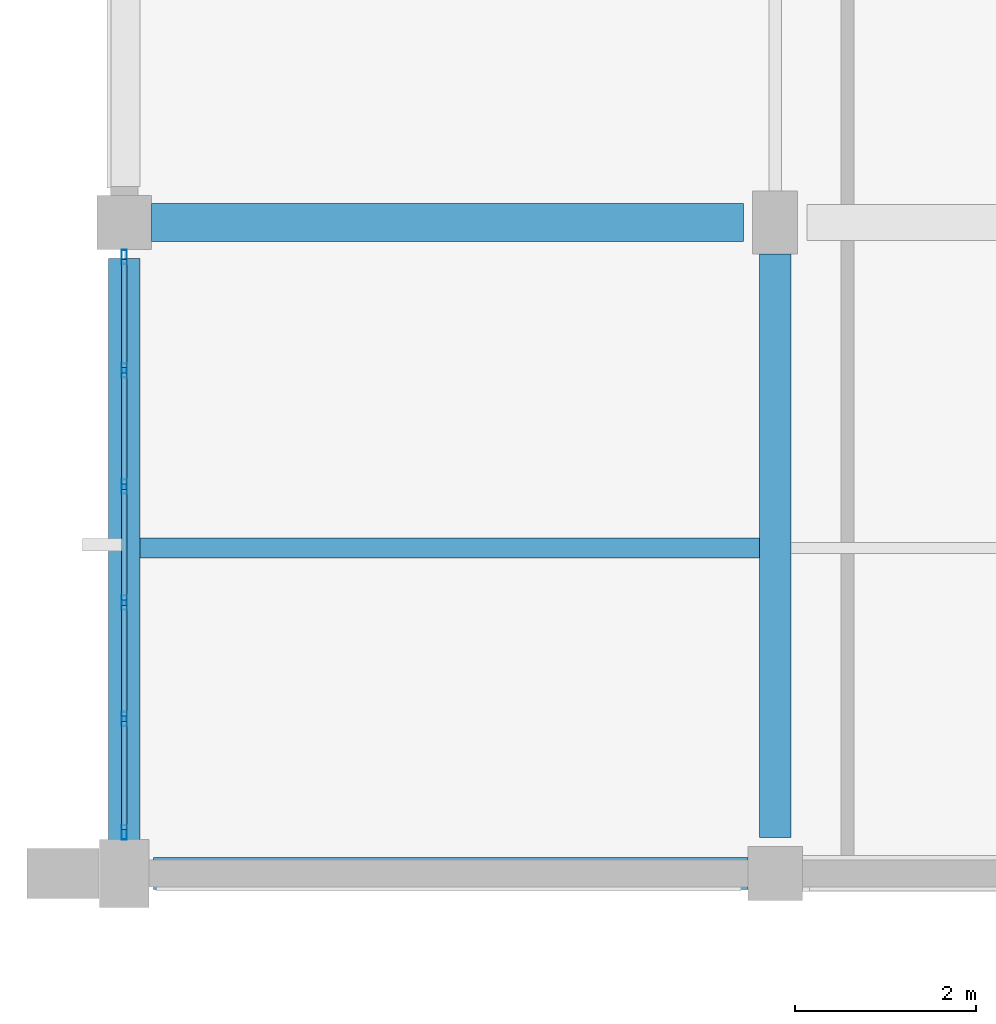
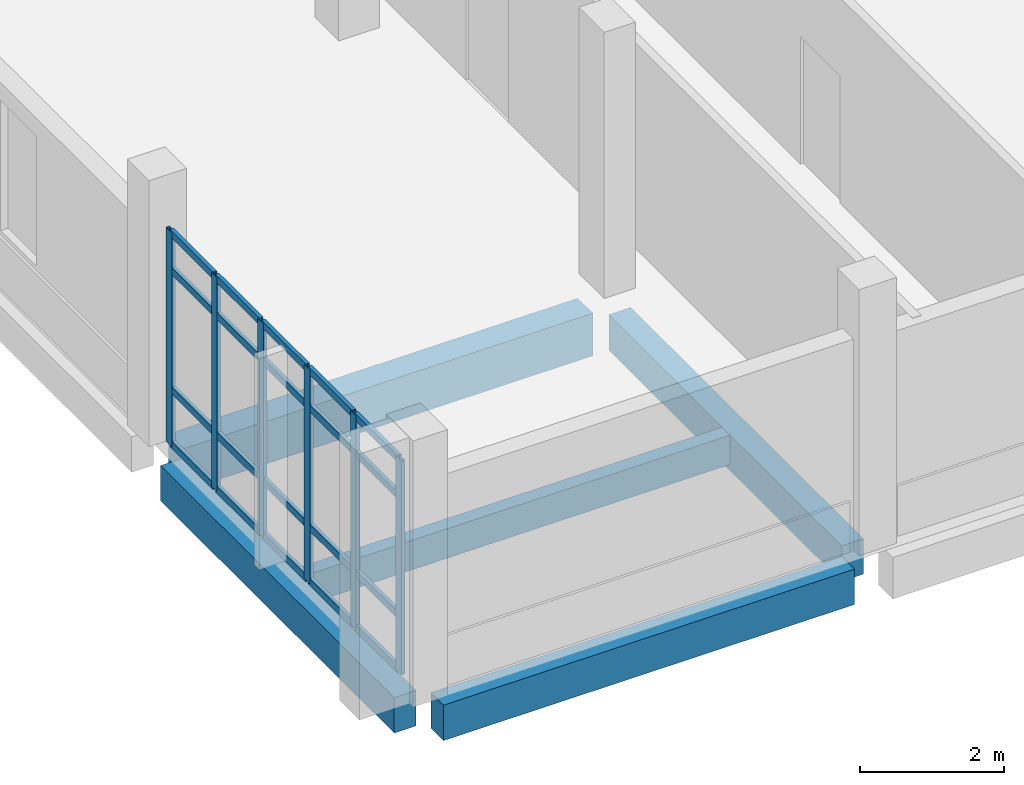
# One storey, part 7 of 124: 26 members, 5 beams, 1 element without a shape of its own.
"""IFC4 building model written with IfcOpenShell, lengths in metres."""

import ifcopenshell
import ifcopenshell.guid

model = None  # the IFC model being written
_history = None  # IfcOwnerHistory: only IFC2X3 demands one
_inside = {}  # id of a spatial element -> (the spatial element, [elements in it])
_under = {}  # id of a project, library or spatial element -> (it, [spatial elements below it])
_declared = {}  # id of a project -> (the project, [libraries it declares])
_typed = {}  # id of a type object -> (the type object, [elements of that type])
_made_of = {}  # id of a material, layer set ... -> (it, [elements and type objects made of it])


def new_model(schema):
    """Start an empty IFC model of exactly this schema.

    Asked for "IFC4X3", IfcOpenShell would pick the latest addendum, in which some entities
    have other attributes; the version numbers below select the first issue.
    IFC2X3 requires an IfcOwnerHistory on every rooted entity: one is made here for all.
    """
    global model, _history
    if schema == "IFC4X3":
        model = ifcopenshell.file(schema_version=(4, 3, 0, 0))
    else:
        model = ifcopenshell.file(schema=schema)
    _inside.clear()
    _under.clear()
    _declared.clear()
    _typed.clear()
    _made_of.clear()
    _history = None
    if model.schema == "IFC2X3":
        org = make("IfcOrganization", Name="unknown")
        user = make(
            "IfcPersonAndOrganization",
            ThePerson=make("IfcPerson", FamilyName="unknown"),
            TheOrganization=org,
        )
        app = make(
            "IfcApplication",
            ApplicationDeveloper=org,
            Version="unknown",
            ApplicationFullName="unknown",
            ApplicationIdentifier="unknown",
        )
        _history = make(
            "IfcOwnerHistory",
            OwningUser=user,
            OwningApplication=app,
            ChangeAction="ADDED",
            CreationDate=0,
        )
    return model


def make(cls, **values):
    """One entity of the class cls with the attributes given. An attribute that is None is left unset."""
    return model.create_entity(
        cls, **{name: value for name, value in values.items() if value is not None}
    )


def rooted(cls, **values):
    """An entity with a GlobalId (a new one), such as an element, a storey or a relation."""
    return make(cls, GlobalId=ifcopenshell.guid.new(), OwnerHistory=_history, **values)


def si_unit(unit_type, name, prefix=None):
    """IfcSIUnit, for example si_unit("LENGTHUNIT", "METRE", prefix="MILLI")."""
    return make("IfcSIUnit", UnitType=unit_type, Prefix=prefix, Name=name)


def assignment(units):
    """IfcUnitAssignment: the units of a project."""
    return None if units is None else make("IfcUnitAssignment", Units=units)


def point(xyz):
    """IfcCartesianPoint."""
    return None if xyz is None else make("IfcCartesianPoint", Coordinates=xyz)


def direction(xyz):
    """IfcDirection."""
    return None if xyz is None else make("IfcDirection", DirectionRatios=xyz)


def frame(location, z_axis=None, x_axis=None):
    """IfcAxis2Placement3D, a coordinate frame: its origin and axes. An axis left out is left unset."""
    return make(
        "IfcAxis2Placement3D",
        Location=point(location),
        Axis=direction(z_axis),
        RefDirection=direction(x_axis),
    )


def frame_2d(location, x_axis=None):
    """IfcAxis2Placement2D, a coordinate frame in the plane: its origin and x axis."""
    return make(
        "IfcAxis2Placement2D", Location=point(location), RefDirection=direction(x_axis)
    )


def origin():
    """The frame at (0, 0, 0) with its axes left unset."""
    return frame((0.0, 0.0, 0.0))


def origin_2d():
    """The frame at (0, 0) in the plane with its x axis left unset."""
    return frame_2d((0.0, 0.0))


def place(relative_to, where):
    """IfcLocalPlacement: puts the frame where relative to a parent placement (None: the world)."""
    return make(
        "IfcLocalPlacement", PlacementRelTo=relative_to, RelativePlacement=where
    )


def context(
    kind, dimensions, precision=None, world=None, true_north=None, identifier=None
):
    """IfcGeometricRepresentationContext, for example the 3D "Model" context."""
    return make(
        "IfcGeometricRepresentationContext",
        ContextIdentifier=identifier,
        ContextType=kind,
        CoordinateSpaceDimension=dimensions,
        Precision=precision,
        WorldCoordinateSystem=world,
        TrueNorth=true_north,
    )


def subcontext(parent, identifier, kind, view, scale=None):
    """IfcGeometricRepresentationSubContext, for example "Body" below "Model"."""
    return make(
        "IfcGeometricRepresentationSubContext",
        ContextIdentifier=identifier,
        ContextType=kind,
        ParentContext=parent,
        TargetScale=scale,
        TargetView=view,
    )


def project(units=None, contexts=None):
    """IfcProject with its units and contexts."""
    return rooted(
        "IfcProject",
        Name="project",
        RepresentationContexts=contexts,
        UnitsInContext=assignment(units),
    )


def spatial(cls, under=None, at=None, **own):
    """A site, building, storey or space (cls), placed at a placement, below another one or the project."""
    s = rooted(cls, ObjectPlacement=at, **own)
    if under is not None:
        _under.setdefault(under.id(), (under, []))[1].append(s)
    return s


def profile(cls, at=None, kind="AREA", **sizes):
    """A parametric profile (cls). Its sizes go by their IFC names, for example OverallWidth=200.0."""
    return make(cls, ProfileType=kind, Position=at, **sizes)


def rectangle(**sizes):
    """IfcRectangleProfileDef."""
    return profile("IfcRectangleProfileDef", **sizes)


def hollow_rectangle(**sizes):
    """IfcRectangleHollowProfileDef."""
    return profile("IfcRectangleHollowProfileDef", **sizes)


def extrude(swept, where, along, depth):
    """IfcExtrudedAreaSolid: the profile swept, set in the frame where, extruded along a direction by depth."""
    return make(
        "IfcExtrudedAreaSolid",
        SweptArea=swept,
        Position=where,
        ExtrudedDirection=direction(along),
        Depth=depth,
    )


def shape(context_of_items, identifier, shape_type, items):
    """IfcShapeRepresentation: the items that make up one representation, for example the "Body"."""
    return make(
        "IfcShapeRepresentation",
        ContextOfItems=context_of_items,
        RepresentationIdentifier=identifier,
        RepresentationType=shape_type,
        Items=items,
    )


def material(Name=None, Category=None):
    """IfcMaterial."""
    return make("IfcMaterial", Name=Name, Category=Category)


def material_profile(
    of_material, cross_section, Name=None, Category=None, Priority=None
):
    """IfcMaterialProfile: a cross section and its material."""
    return make(
        "IfcMaterialProfile",
        Name=Name,
        Material=of_material,
        Profile=cross_section,
        Priority=Priority,
        Category=Category,
    )


def profile_set(profiles, Name=None, composite=None):
    """IfcMaterialProfileSet."""
    return make(
        "IfcMaterialProfileSet",
        Name=Name,
        MaterialProfiles=profiles,
        CompositeProfile=composite,
    )


def made_of(thing, what):
    """Note that an element or type object is made of a material, layer set ...; save() writes the relation."""
    if what is not None:
        _made_of.setdefault(what.id(), (what, []))[1].append(thing)
    return thing


def type_object(cls, material=None, **own):
    """A type object (cls), such as IfcWallType, which elements share."""
    return made_of(rooted(cls, **own), material)


def element(
    cls,
    number,
    at=None,
    inside=None,
    cuts=None,
    type_object=None,
    material=None,
    context=None,
    identifier="Body",
    shape_type=None,
    held_by="IfcProductDefinitionShape",
    body=None,
    shapes=None,
    **own,
):
    """One element of the class cls, such as IfcWall. Its Tag is "e" and its number.

    at: its placement. inside: the storey or other place that contains it. cuts: it is an
    opening in that element (IfcRelVoidsElement). A single representation is given by context,
    identifier, shape_type and body (its items); several are given by shapes. held_by: the class
    of the entity that holds the representations. save() writes the other relations.
    """
    e = rooted(cls, Tag="e%d" % number, ObjectPlacement=at, **own)
    if body is not None:
        shapes = [shape(context, identifier, shape_type, body)]
    if shapes is not None:
        e.Representation = make(held_by, Representations=shapes)
    if inside is not None:
        _inside.setdefault(inside.id(), (inside, []))[1].append(e)
    if cuts is not None:
        rooted(
            "IfcRelVoidsElement", RelatingBuildingElement=cuts, RelatedOpeningElement=e
        )
    if type_object is not None:
        _typed.setdefault(type_object.id(), (type_object, []))[1].append(e)
    return made_of(e, material)


def aggregate(whole, parts):
    """IfcRelAggregates: a whole, such as a stair, and the parts it consists of."""
    return rooted("IfcRelAggregates", RelatingObject=whole, RelatedObjects=parts)


def save(model, path):
    """Write the relations noted so far, then the file.

    IfcRelAggregates (storeys below a building ...), IfcRelContainedInSpatialStructure (elements
    in a storey), IfcRelDefinesByType, IfcRelAssociatesMaterial and IfcRelDeclares: one each for
    every whole, place, type object, material and project.
    """
    for whole, parts in _under.values():
        aggregate(whole, parts)
    for where, things in _inside.values():
        rooted(
            "IfcRelContainedInSpatialStructure",
            RelatedElements=things,
            RelatingStructure=where,
        )
    for kind, things in _typed.values():
        rooted("IfcRelDefinesByType", RelatedObjects=things, RelatingType=kind)
    for what, things in _made_of.values():
        rooted("IfcRelAssociatesMaterial", RelatedObjects=things, RelatingMaterial=what)
    for by, libraries in _declared.values():
        rooted("IfcRelDeclares", RelatingContext=by, RelatedDefinitions=libraries)
    model.write(path)


model = new_model("IFC4")

# Units and contexts
model_context = context("Model", 3, precision=1e-05, world=origin(), true_north=direction((0.0, 1.0)))
body_context = subcontext(model_context, "Body", "Model", "MODEL_VIEW")
ifc_project = project(units=[si_unit("LENGTHUNIT", "METRE"), si_unit("AREAUNIT", "SQUARE_METRE"), si_unit("VOLUMEUNIT", "CUBIC_METRE"), si_unit("PLANEANGLEUNIT", "RADIAN"), si_unit("MASSUNIT", "GRAM", prefix="KILO")], contexts=[model_context])

# Site, building, storey
site_placement = place(None, origin())
site = spatial("IfcSite", under=ifc_project, at=site_placement, CompositionType="ELEMENT")
building_placement = place(site_placement, origin())
building = spatial("IfcBuilding", under=site, at=building_placement, Name="Kalluvel Institute of Natural Sciences", CompositionType="ELEMENT")
storey_placement = place(building_placement, frame((0.0, 0.0, 9.89990234375)))
storey = spatial("IfcBuildingStorey", under=building, at=storey_placement, Name="L02", CompositionType="ELEMENT", Elevation=9.89990234375)

# Beams
ifc_material_1 = material(Name="Concrete M40", Category="concrete")
ifc_material_profile_1 = material_profile(ifc_material_1, rectangle(XDim=0.35009765625, YDim=0.60009765625, at=origin_2d()), Name="RCB 350x600")
ifc_profile_set_1 = profile_set([ifc_material_profile_1], Name="Concrete M40")
beam_type_1 = type_object("IfcBeamType", Name="BM-RC350x600", PredefinedType="BEAM", material=ifc_profile_set_1)
beam_1_placement = place(storey_placement, frame((21.199951171875, 14.39990234375, -0.599853515625), z_axis=(0.0, 1.0, 0.0), x_axis=(-1.0, 0.0, 0.0)))
element("IfcBeam", 1, at=beam_1_placement, inside=storey, type_object=beam_type_1, Name="L02 girder GIR-L02-NS-X212-Y140", PredefinedType="BEAM", context=body_context, shape_type="SweptSolid", body=[
    extrude(rectangle(XDim=0.35009765625, YDim=0.60009765625, at=origin_2d()), origin(), (0.0, 0.0, 1.0), 6.4501953125),
])
ifc_material_profile_2 = material_profile(ifc_material_1, rectangle(XDim=0.419921875, YDim=0.719970703125, at=origin_2d()), Name="RCB 420x720")
ifc_profile_set_2 = profile_set([ifc_material_profile_2], Name="Concrete M40")
beam_type_2 = type_object("IfcBeamType", Name="BM-RC420x720", PredefinedType="BEAM", material=ifc_profile_set_2)
beam_2_placement = place(storey_placement, frame((14.300048828125, 21.199951171875, -0.659912109375), z_axis=(1.0, 0.0, 0.0), x_axis=(0.0, 1.0, 0.0)))
element("IfcBeam", 2, at=beam_2_placement, inside=storey, type_object=beam_type_2, Name="L02 girder GIR-L02-EW-X140-Y212", PredefinedType="BEAM", context=body_context, shape_type="SweptSolid", body=[
    extrude(rectangle(XDim=0.419921875, YDim=0.719970703125, at=origin_2d()), origin(), (0.0, 0.0, 1.0), 6.550048828125),
])

# Curtain wall, members
ifc_material_2 = material(Name="Aluminium AW-6063 T6", Category="aluminium")
curtain_wall_type = type_object("IfcCurtainWallType", Name="CW-DRY-45", PredefinedType="USERDEFINED", material=ifc_material_2)
curtain_wall_placement = place(storey_placement, origin())
curtain_wall = element("IfcCurtainWall", 3, at=curtain_wall_placement, inside=storey, type_object=curtain_wall_type, Name="L02 Gothic lancet curtain wall CWA-L02-X140-Y144", ObjectType="UNITISED LANCET FACADE", PredefinedType="USERDEFINED")
ifc_material_profile_3 = material_profile(ifc_material_2, hollow_rectangle(XDim=0.06005859375, YDim=0.159912109375, WallThickness=0.00390625, at=origin_2d()), Name="CWM 60x160")
ifc_profile_set_3 = profile_set([ifc_material_profile_3], Name="Aluminium AW-6063 T6")
member_type_1 = type_object("IfcMemberType", Name="CWM-60x160", PredefinedType="MULLION", material=ifc_profile_set_3)
member_1_placement = place(storey_placement, frame((14.0, 14.455078125, 0.0), z_axis=(0.0, 0.0, 1.0), x_axis=(-1.0, 0.0, 0.0)))
member_1 = element("IfcMember", 4, at=member_1_placement, type_object=member_type_1, Name="CW-03 mullion 1", PredefinedType="MULLION", context=body_context, shape_type="SweptSolid", body=[
    extrude(hollow_rectangle(XDim=0.06005859375, YDim=0.159912109375, WallThickness=0.00390625, at=origin_2d()), origin(), (0.0, 0.0, 1.0), 3.6201171875),
])
member_2_placement = place(storey_placement, frame((14.0, 15.7099609375, 0.0), z_axis=(0.0, 0.0, 1.0), x_axis=(-1.0, 0.0, 0.0)))
member_2 = element("IfcMember", 5, at=member_2_placement, type_object=member_type_1, Name="CW-03 mullion 2", PredefinedType="MULLION", context=body_context, shape_type="SweptSolid", body=[
    extrude(hollow_rectangle(XDim=0.06005859375, YDim=0.159912109375, WallThickness=0.00390625, at=origin_2d()), origin(), (0.0, 0.0, 1.0), 3.6201171875),
])
member_3_placement = place(storey_placement, frame((14.0, 16.9951171875, 0.0), z_axis=(0.0, 0.0, 1.0), x_axis=(-1.0, 0.0, 0.0)))
member_3 = element("IfcMember", 6, at=member_3_placement, type_object=member_type_1, Name="CW-03 mullion 3", PredefinedType="MULLION", context=body_context, shape_type="SweptSolid", body=[
    extrude(hollow_rectangle(XDim=0.06005859375, YDim=0.159912109375, WallThickness=0.00390625, at=origin_2d()), origin(), (0.0, 0.0, 1.0), 3.6201171875),
])
member_4_placement = place(storey_placement, frame((14.0, 18.280029296875, 0.0), z_axis=(0.0, 0.0, 1.0), x_axis=(-1.0, 0.0, 0.0)))
member_4 = element("IfcMember", 7, at=member_4_placement, type_object=member_type_1, Name="CW-03 mullion 4", PredefinedType="MULLION", context=body_context, shape_type="SweptSolid", body=[
    extrude(hollow_rectangle(XDim=0.06005859375, YDim=0.159912109375, WallThickness=0.00390625, at=origin_2d()), origin(), (0.0, 0.0, 1.0), 3.6201171875),
])
member_5_placement = place(storey_placement, frame((14.0, 19.56494140625, 0.0), z_axis=(0.0, 0.0, 1.0), x_axis=(-1.0, 0.0, 0.0)))
member_5 = element("IfcMember", 8, at=member_5_placement, type_object=member_type_1, Name="CW-03 mullion 5", PredefinedType="MULLION", context=body_context, shape_type="SweptSolid", body=[
    extrude(hollow_rectangle(XDim=0.06005859375, YDim=0.159912109375, WallThickness=0.00390625, at=origin_2d()), origin(), (0.0, 0.0, 1.0), 3.6201171875),
])
member_6_placement = place(storey_placement, frame((14.0, 20.820068359375, 0.0), z_axis=(0.0, 0.0, 1.0), x_axis=(-1.0, 0.0, 0.0)))
member_6 = element("IfcMember", 9, at=member_6_placement, type_object=member_type_1, Name="CW-03 mullion 6", PredefinedType="MULLION", context=body_context, shape_type="SweptSolid", body=[
    extrude(hollow_rectangle(XDim=0.06005859375, YDim=0.159912109375, WallThickness=0.00390625, at=origin_2d()), origin(), (0.0, 0.0, 1.0), 3.6201171875),
])
ifc_material_profile_4 = material_profile(ifc_material_2, hollow_rectangle(XDim=0.06005859375, YDim=0.1201171875, WallThickness=0.00390625, at=origin_2d()), Name="CWT 60x120")
ifc_profile_set_4 = profile_set([ifc_material_profile_4], Name="Aluminium AW-6063 T6")
member_type_2 = type_object("IfcMemberType", Name="CWT-60x120", PredefinedType="USERDEFINED", material=ifc_profile_set_4)
member_7_placement = place(storey_placement, frame((14.0, 14.485107421875, 0.030029296875), z_axis=(0.0, 1.0, 0.0), x_axis=(-1.0, 0.0, 0.0)))
member_7 = element("IfcMember", 10, at=member_7_placement, type_object=member_type_2, Name="CW-03 transom 1.1", ObjectType="TRANSOM", PredefinedType="USERDEFINED", context=body_context, shape_type="SweptSolid", body=[
    extrude(hollow_rectangle(XDim=0.06005859375, YDim=0.1201171875, WallThickness=0.00390625, at=origin_2d()), origin(), (0.0, 0.0, 1.0), 1.19482421875),
])
member_8_placement = place(storey_placement, frame((14.0, 14.485107421875, 0.9501953125), z_axis=(0.0, 1.0, 0.0), x_axis=(-1.0, 0.0, 0.0)))
member_8 = element("IfcMember", 11, at=member_8_placement, type_object=member_type_2, Name="CW-03 transom 1.2", ObjectType="TRANSOM", PredefinedType="USERDEFINED", context=body_context, shape_type="SweptSolid", body=[
    extrude(hollow_rectangle(XDim=0.06005859375, YDim=0.1201171875, WallThickness=0.00390625, at=origin_2d()), origin(), (0.0, 0.0, 1.0), 1.19482421875),
])
member_9_placement = place(storey_placement, frame((14.0, 14.485107421875, 2.97021484375), z_axis=(0.0, 1.0, 0.0), x_axis=(-1.0, 0.0, 0.0)))
member_9 = element("IfcMember", 12, at=member_9_placement, type_object=member_type_2, Name="CW-03 transom 1.3", ObjectType="TRANSOM", PredefinedType="USERDEFINED", context=body_context, shape_type="SweptSolid", body=[
    extrude(hollow_rectangle(XDim=0.06005859375, YDim=0.1201171875, WallThickness=0.00390625, at=origin_2d()), origin(), (0.0, 0.0, 1.0), 1.19482421875),
])
member_10_placement = place(storey_placement, frame((14.0, 14.485107421875, 3.590087890625), z_axis=(0.0, 1.0, 0.0), x_axis=(-1.0, 0.0, 0.0)))
member_10 = element("IfcMember", 13, at=member_10_placement, type_object=member_type_2, Name="CW-03 transom 1.4", ObjectType="TRANSOM", PredefinedType="USERDEFINED", context=body_context, shape_type="SweptSolid", body=[
    extrude(hollow_rectangle(XDim=0.06005859375, YDim=0.1201171875, WallThickness=0.00390625, at=origin_2d()), origin(), (0.0, 0.0, 1.0), 1.19482421875),
])
member_11_placement = place(storey_placement, frame((14.0, 15.739990234375, 0.030029296875), z_axis=(0.0, 1.0, 0.0), x_axis=(-1.0, 0.0, 0.0)))
member_11 = element("IfcMember", 14, at=member_11_placement, type_object=member_type_2, Name="CW-03 transom 2.1", ObjectType="TRANSOM", PredefinedType="USERDEFINED", context=body_context, shape_type="SweptSolid", body=[
    extrude(hollow_rectangle(XDim=0.06005859375, YDim=0.1201171875, WallThickness=0.00390625, at=origin_2d()), origin(), (0.0, 0.0, 1.0), 1.22509765625),
])
member_12_placement = place(storey_placement, frame((14.0, 15.739990234375, 0.9501953125), z_axis=(0.0, 1.0, 0.0), x_axis=(-1.0, 0.0, 0.0)))
member_12 = element("IfcMember", 15, at=member_12_placement, type_object=member_type_2, Name="CW-03 transom 2.2", ObjectType="TRANSOM", PredefinedType="USERDEFINED", context=body_context, shape_type="SweptSolid", body=[
    extrude(hollow_rectangle(XDim=0.06005859375, YDim=0.1201171875, WallThickness=0.00390625, at=origin_2d()), origin(), (0.0, 0.0, 1.0), 1.22509765625),
])
member_13_placement = place(storey_placement, frame((14.0, 15.739990234375, 2.97021484375), z_axis=(0.0, 1.0, 0.0), x_axis=(-1.0, 0.0, 0.0)))
member_13 = element("IfcMember", 16, at=member_13_placement, type_object=member_type_2, Name="CW-03 transom 2.3", ObjectType="TRANSOM", PredefinedType="USERDEFINED", context=body_context, shape_type="SweptSolid", body=[
    extrude(hollow_rectangle(XDim=0.06005859375, YDim=0.1201171875, WallThickness=0.00390625, at=origin_2d()), origin(), (0.0, 0.0, 1.0), 1.22509765625),
])
member_14_placement = place(storey_placement, frame((14.0, 15.739990234375, 3.590087890625), z_axis=(0.0, 1.0, 0.0), x_axis=(-1.0, 0.0, 0.0)))
member_14 = element("IfcMember", 17, at=member_14_placement, type_object=member_type_2, Name="CW-03 transom 2.4", ObjectType="TRANSOM", PredefinedType="USERDEFINED", context=body_context, shape_type="SweptSolid", body=[
    extrude(hollow_rectangle(XDim=0.06005859375, YDim=0.1201171875, WallThickness=0.00390625, at=origin_2d()), origin(), (0.0, 0.0, 1.0), 1.22509765625),
])
member_15_placement = place(storey_placement, frame((14.0, 17.02490234375, 0.030029296875), z_axis=(0.0, 1.0, 0.0), x_axis=(-1.0, 0.0, 0.0)))
member_15 = element("IfcMember", 18, at=member_15_placement, type_object=member_type_2, Name="CW-03 transom 3.1", ObjectType="TRANSOM", PredefinedType="USERDEFINED", context=body_context, shape_type="SweptSolid", body=[
    extrude(hollow_rectangle(XDim=0.06005859375, YDim=0.1201171875, WallThickness=0.00390625, at=origin_2d()), origin(), (0.0, 0.0, 1.0), 1.22509765625),
])
member_16_placement = place(storey_placement, frame((14.0, 17.02490234375, 0.9501953125), z_axis=(0.0, 1.0, 0.0), x_axis=(-1.0, 0.0, 0.0)))
member_16 = element("IfcMember", 19, at=member_16_placement, type_object=member_type_2, Name="CW-03 transom 3.2", ObjectType="TRANSOM", PredefinedType="USERDEFINED", context=body_context, shape_type="SweptSolid", body=[
    extrude(hollow_rectangle(XDim=0.06005859375, YDim=0.1201171875, WallThickness=0.00390625, at=origin_2d()), origin(), (0.0, 0.0, 1.0), 1.22509765625),
])
member_17_placement = place(storey_placement, frame((14.0, 17.02490234375, 2.97021484375), z_axis=(0.0, 1.0, 0.0), x_axis=(-1.0, 0.0, 0.0)))
member_17 = element("IfcMember", 20, at=member_17_placement, type_object=member_type_2, Name="CW-03 transom 3.3", ObjectType="TRANSOM", PredefinedType="USERDEFINED", context=body_context, shape_type="SweptSolid", body=[
    extrude(hollow_rectangle(XDim=0.06005859375, YDim=0.1201171875, WallThickness=0.00390625, at=origin_2d()), origin(), (0.0, 0.0, 1.0), 1.22509765625),
])
member_18_placement = place(storey_placement, frame((14.0, 17.02490234375, 3.590087890625), z_axis=(0.0, 1.0, 0.0), x_axis=(-1.0, 0.0, 0.0)))
member_18 = element("IfcMember", 21, at=member_18_placement, type_object=member_type_2, Name="CW-03 transom 3.4", ObjectType="TRANSOM", PredefinedType="USERDEFINED", context=body_context, shape_type="SweptSolid", body=[
    extrude(hollow_rectangle(XDim=0.06005859375, YDim=0.1201171875, WallThickness=0.00390625, at=origin_2d()), origin(), (0.0, 0.0, 1.0), 1.22509765625),
])
member_19_placement = place(storey_placement, frame((14.0, 18.31005859375, 0.030029296875), z_axis=(0.0, 1.0, 0.0), x_axis=(-1.0, 0.0, 0.0)))
member_19 = element("IfcMember", 22, at=member_19_placement, type_object=member_type_2, Name="CW-03 transom 4.1", ObjectType="TRANSOM", PredefinedType="USERDEFINED", context=body_context, shape_type="SweptSolid", body=[
    extrude(hollow_rectangle(XDim=0.06005859375, YDim=0.1201171875, WallThickness=0.00390625, at=origin_2d()), origin(), (0.0, 0.0, 1.0), 1.224853515625),
])
member_20_placement = place(storey_placement, frame((14.0, 18.31005859375, 0.9501953125), z_axis=(0.0, 1.0, 0.0), x_axis=(-1.0, 0.0, 0.0)))
member_20 = element("IfcMember", 23, at=member_20_placement, type_object=member_type_2, Name="CW-03 transom 4.2", ObjectType="TRANSOM", PredefinedType="USERDEFINED", context=body_context, shape_type="SweptSolid", body=[
    extrude(hollow_rectangle(XDim=0.06005859375, YDim=0.1201171875, WallThickness=0.00390625, at=origin_2d()), origin(), (0.0, 0.0, 1.0), 1.224853515625),
])
member_21_placement = place(storey_placement, frame((14.0, 18.31005859375, 2.97021484375), z_axis=(0.0, 1.0, 0.0), x_axis=(-1.0, 0.0, 0.0)))
member_21 = element("IfcMember", 24, at=member_21_placement, type_object=member_type_2, Name="CW-03 transom 4.3", ObjectType="TRANSOM", PredefinedType="USERDEFINED", context=body_context, shape_type="SweptSolid", body=[
    extrude(hollow_rectangle(XDim=0.06005859375, YDim=0.1201171875, WallThickness=0.00390625, at=origin_2d()), origin(), (0.0, 0.0, 1.0), 1.224853515625),
])
member_22_placement = place(storey_placement, frame((14.0, 18.31005859375, 3.590087890625), z_axis=(0.0, 1.0, 0.0), x_axis=(-1.0, 0.0, 0.0)))
member_22 = element("IfcMember", 25, at=member_22_placement, type_object=member_type_2, Name="CW-03 transom 4.4", ObjectType="TRANSOM", PredefinedType="USERDEFINED", context=body_context, shape_type="SweptSolid", body=[
    extrude(hollow_rectangle(XDim=0.06005859375, YDim=0.1201171875, WallThickness=0.00390625, at=origin_2d()), origin(), (0.0, 0.0, 1.0), 1.224853515625),
])
member_23_placement = place(storey_placement, frame((14.0, 19.594970703125, 0.030029296875), z_axis=(0.0, 1.0, 0.0), x_axis=(-1.0, 0.0, 0.0)))
member_23 = element("IfcMember", 26, at=member_23_placement, type_object=member_type_2, Name="CW-03 transom 5.1", ObjectType="TRANSOM", PredefinedType="USERDEFINED", context=body_context, shape_type="SweptSolid", body=[
    extrude(hollow_rectangle(XDim=0.06005859375, YDim=0.1201171875, WallThickness=0.00390625, at=origin_2d()), origin(), (0.0, 0.0, 1.0), 1.195068359375),
])
member_24_placement = place(storey_placement, frame((14.0, 19.594970703125, 0.9501953125), z_axis=(0.0, 1.0, 0.0), x_axis=(-1.0, 0.0, 0.0)))
member_24 = element("IfcMember", 27, at=member_24_placement, type_object=member_type_2, Name="CW-03 transom 5.2", ObjectType="TRANSOM", PredefinedType="USERDEFINED", context=body_context, shape_type="SweptSolid", body=[
    extrude(hollow_rectangle(XDim=0.06005859375, YDim=0.1201171875, WallThickness=0.00390625, at=origin_2d()), origin(), (0.0, 0.0, 1.0), 1.195068359375),
])
member_25_placement = place(storey_placement, frame((14.0, 19.594970703125, 2.97021484375), z_axis=(0.0, 1.0, 0.0), x_axis=(-1.0, 0.0, 0.0)))
member_25 = element("IfcMember", 28, at=member_25_placement, type_object=member_type_2, Name="CW-03 transom 5.3", ObjectType="TRANSOM", PredefinedType="USERDEFINED", context=body_context, shape_type="SweptSolid", body=[
    extrude(hollow_rectangle(XDim=0.06005859375, YDim=0.1201171875, WallThickness=0.00390625, at=origin_2d()), origin(), (0.0, 0.0, 1.0), 1.195068359375),
])
member_26_placement = place(storey_placement, frame((14.0, 19.594970703125, 3.590087890625), z_axis=(0.0, 1.0, 0.0), x_axis=(-1.0, 0.0, 0.0)))
member_26 = element("IfcMember", 29, at=member_26_placement, type_object=member_type_2, Name="CW-03 transom 5.4", ObjectType="TRANSOM", PredefinedType="USERDEFINED", context=body_context, shape_type="SweptSolid", body=[
    extrude(hollow_rectangle(XDim=0.06005859375, YDim=0.1201171875, WallThickness=0.00390625, at=origin_2d()), origin(), (0.0, 0.0, 1.0), 1.195068359375),
])
aggregate(curtain_wall, [member_1, member_2, member_3, member_4, member_5, member_6, member_7, member_8, member_9, member_10, member_11, member_12, member_13, member_14, member_15, member_16, member_17, member_18, member_19, member_20, member_21, member_22, member_23, member_24, member_25, member_26])

# Beams
ifc_material_profile_5 = material_profile(ifc_material_1, rectangle(XDim=0.35009765625, YDim=0.60009765625, at=origin_2d()), Name="RCB 350x600")
ifc_profile_set_5 = profile_set([ifc_material_profile_5], Name="Concrete M40")
beam_type_3 = type_object("IfcBeamType", Name="SP-RC350x600", PredefinedType="SPANDREL", material=ifc_profile_set_5)
beam_3_placement = place(storey_placement, frame((14.324951171875, 14.0, -0.599853515625), z_axis=(1.0, 0.0, 0.0), x_axis=(0.0, 1.0, 0.0)))
element("IfcBeam", 30, at=beam_3_placement, inside=storey, type_object=beam_type_3, Name="L02 girder GIR-L02-EW-X140-Y140", PredefinedType="SPANDREL", context=body_context, shape_type="SweptSolid", body=[
    extrude(rectangle(XDim=0.35009765625, YDim=0.60009765625, at=origin_2d()), origin(), (0.0, 0.0, 1.0), 6.574951171875),
])
beam_4_placement = place(storey_placement, frame((14.0, 14.324951171875, -0.599853515625), z_axis=(0.0, 1.0, 0.0), x_axis=(-1.0, 0.0, 0.0)))
element("IfcBeam", 31, at=beam_4_placement, inside=storey, type_object=beam_type_3, Name="L02 girder GIR-L02-NS-X140-Y140", PredefinedType="SPANDREL", context=body_context, shape_type="SweptSolid", body=[
    extrude(rectangle(XDim=0.35009765625, YDim=0.60009765625, at=origin_2d()), origin(), (0.0, 0.0, 1.0), 6.47509765625),
])
ifc_material_profile_6 = material_profile(ifc_material_1, rectangle(XDim=0.219970703125, YDim=0.5, at=origin_2d()), Name="WAF 220x500")
ifc_profile_set_6 = profile_set([ifc_material_profile_6], Name="Concrete M40")
beam_type_4 = type_object("IfcBeamType", Name="WJ-220x500", PredefinedType="JOIST", material=ifc_profile_set_6)
beam_5_placement = place(storey_placement, frame((14.175048828125, 17.60009765625, -0.5498046875), z_axis=(1.0, 0.0, 0.0), x_axis=(0.0, 1.0, 0.0)))
element("IfcBeam", 32, at=beam_5_placement, inside=storey, type_object=beam_type_4, Name="L02 floor rib RIB-L02-0653", PredefinedType="JOIST", context=body_context, shape_type="SweptSolid", body=[
    extrude(rectangle(XDim=0.219970703125, YDim=0.5, at=origin_2d()), origin(), (0.0, 0.0, 1.0), 6.849853515625),
])

save(model, "model.ifc")
